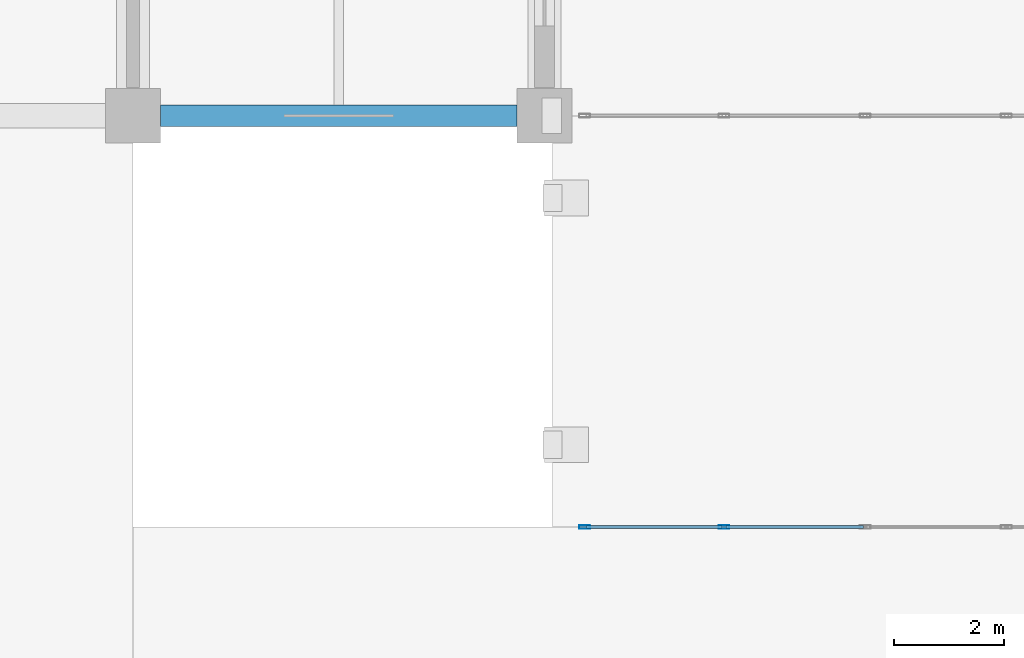
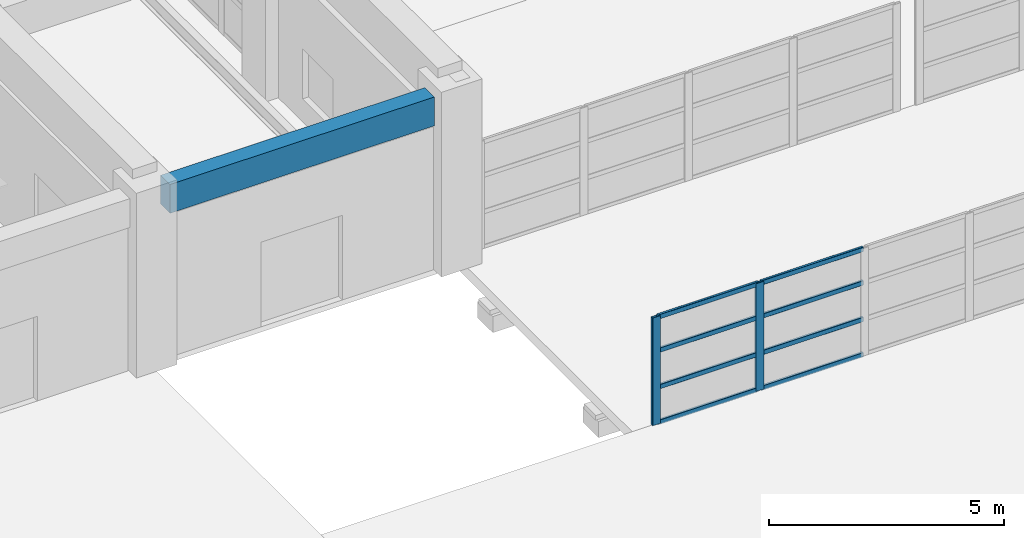
# One storey, part 24 of 122: 10 members, 1 beam, 1 element without a shape of its own.
"""IFC4 building model written with IfcOpenShell, lengths in metres."""

import ifcopenshell
import ifcopenshell.guid

model = None  # the IFC model being written
_history = None  # IfcOwnerHistory: only IFC2X3 demands one
_inside = {}  # id of a spatial element -> (the spatial element, [elements in it])
_under = {}  # id of a project, library or spatial element -> (it, [spatial elements below it])
_declared = {}  # id of a project -> (the project, [libraries it declares])
_typed = {}  # id of a type object -> (the type object, [elements of that type])
_made_of = {}  # id of a material, layer set ... -> (it, [elements and type objects made of it])


def new_model(schema):
    """Start an empty IFC model of exactly this schema.

    Asked for "IFC4X3", IfcOpenShell would pick the latest addendum, in which some entities
    have other attributes; the version numbers below select the first issue.
    IFC2X3 requires an IfcOwnerHistory on every rooted entity: one is made here for all.
    """
    global model, _history
    if schema == "IFC4X3":
        model = ifcopenshell.file(schema_version=(4, 3, 0, 0))
    else:
        model = ifcopenshell.file(schema=schema)
    _inside.clear()
    _under.clear()
    _declared.clear()
    _typed.clear()
    _made_of.clear()
    _history = None
    if model.schema == "IFC2X3":
        org = make("IfcOrganization", Name="unknown")
        user = make(
            "IfcPersonAndOrganization",
            ThePerson=make("IfcPerson", FamilyName="unknown"),
            TheOrganization=org,
        )
        app = make(
            "IfcApplication",
            ApplicationDeveloper=org,
            Version="unknown",
            ApplicationFullName="unknown",
            ApplicationIdentifier="unknown",
        )
        _history = make(
            "IfcOwnerHistory",
            OwningUser=user,
            OwningApplication=app,
            ChangeAction="ADDED",
            CreationDate=0,
        )
    return model


def make(cls, **values):
    """One entity of the class cls with the attributes given. An attribute that is None is left unset."""
    return model.create_entity(
        cls, **{name: value for name, value in values.items() if value is not None}
    )


def rooted(cls, **values):
    """An entity with a GlobalId (a new one), such as an element, a storey or a relation."""
    return make(cls, GlobalId=ifcopenshell.guid.new(), OwnerHistory=_history, **values)


def si_unit(unit_type, name, prefix=None):
    """IfcSIUnit, for example si_unit("LENGTHUNIT", "METRE", prefix="MILLI")."""
    return make("IfcSIUnit", UnitType=unit_type, Prefix=prefix, Name=name)


def assignment(units):
    """IfcUnitAssignment: the units of a project."""
    return None if units is None else make("IfcUnitAssignment", Units=units)


def point(xyz):
    """IfcCartesianPoint."""
    return None if xyz is None else make("IfcCartesianPoint", Coordinates=xyz)


def direction(xyz):
    """IfcDirection."""
    return None if xyz is None else make("IfcDirection", DirectionRatios=xyz)


def frame(location, z_axis=None, x_axis=None):
    """IfcAxis2Placement3D, a coordinate frame: its origin and axes. An axis left out is left unset."""
    return make(
        "IfcAxis2Placement3D",
        Location=point(location),
        Axis=direction(z_axis),
        RefDirection=direction(x_axis),
    )


def frame_2d(location, x_axis=None):
    """IfcAxis2Placement2D, a coordinate frame in the plane: its origin and x axis."""
    return make(
        "IfcAxis2Placement2D", Location=point(location), RefDirection=direction(x_axis)
    )


def origin():
    """The frame at (0, 0, 0) with its axes left unset."""
    return frame((0.0, 0.0, 0.0))


def origin_2d():
    """The frame at (0, 0) in the plane with its x axis left unset."""
    return frame_2d((0.0, 0.0))


def place(relative_to, where):
    """IfcLocalPlacement: puts the frame where relative to a parent placement (None: the world)."""
    return make(
        "IfcLocalPlacement", PlacementRelTo=relative_to, RelativePlacement=where
    )


def context(
    kind, dimensions, precision=None, world=None, true_north=None, identifier=None
):
    """IfcGeometricRepresentationContext, for example the 3D "Model" context."""
    return make(
        "IfcGeometricRepresentationContext",
        ContextIdentifier=identifier,
        ContextType=kind,
        CoordinateSpaceDimension=dimensions,
        Precision=precision,
        WorldCoordinateSystem=world,
        TrueNorth=true_north,
    )


def subcontext(parent, identifier, kind, view, scale=None):
    """IfcGeometricRepresentationSubContext, for example "Body" below "Model"."""
    return make(
        "IfcGeometricRepresentationSubContext",
        ContextIdentifier=identifier,
        ContextType=kind,
        ParentContext=parent,
        TargetScale=scale,
        TargetView=view,
    )


def project(units=None, contexts=None):
    """IfcProject with its units and contexts."""
    return rooted(
        "IfcProject",
        Name="project",
        RepresentationContexts=contexts,
        UnitsInContext=assignment(units),
    )


def spatial(cls, under=None, at=None, **own):
    """A site, building, storey or space (cls), placed at a placement, below another one or the project."""
    s = rooted(cls, ObjectPlacement=at, **own)
    if under is not None:
        _under.setdefault(under.id(), (under, []))[1].append(s)
    return s


def profile(cls, at=None, kind="AREA", **sizes):
    """A parametric profile (cls). Its sizes go by their IFC names, for example OverallWidth=200.0."""
    return make(cls, ProfileType=kind, Position=at, **sizes)


def rectangle(**sizes):
    """IfcRectangleProfileDef."""
    return profile("IfcRectangleProfileDef", **sizes)


def hollow_rectangle(**sizes):
    """IfcRectangleHollowProfileDef."""
    return profile("IfcRectangleHollowProfileDef", **sizes)


def extrude(swept, where, along, depth):
    """IfcExtrudedAreaSolid: the profile swept, set in the frame where, extruded along a direction by depth."""
    return make(
        "IfcExtrudedAreaSolid",
        SweptArea=swept,
        Position=where,
        ExtrudedDirection=direction(along),
        Depth=depth,
    )


def shape(context_of_items, identifier, shape_type, items):
    """IfcShapeRepresentation: the items that make up one representation, for example the "Body"."""
    return make(
        "IfcShapeRepresentation",
        ContextOfItems=context_of_items,
        RepresentationIdentifier=identifier,
        RepresentationType=shape_type,
        Items=items,
    )


def material(Name=None, Category=None):
    """IfcMaterial."""
    return make("IfcMaterial", Name=Name, Category=Category)


def material_profile(
    of_material, cross_section, Name=None, Category=None, Priority=None
):
    """IfcMaterialProfile: a cross section and its material."""
    return make(
        "IfcMaterialProfile",
        Name=Name,
        Material=of_material,
        Profile=cross_section,
        Priority=Priority,
        Category=Category,
    )


def profile_set(profiles, Name=None, composite=None):
    """IfcMaterialProfileSet."""
    return make(
        "IfcMaterialProfileSet",
        Name=Name,
        MaterialProfiles=profiles,
        CompositeProfile=composite,
    )


def made_of(thing, what):
    """Note that an element or type object is made of a material, layer set ...; save() writes the relation."""
    if what is not None:
        _made_of.setdefault(what.id(), (what, []))[1].append(thing)
    return thing


def type_object(cls, material=None, **own):
    """A type object (cls), such as IfcWallType, which elements share."""
    return made_of(rooted(cls, **own), material)


def element(
    cls,
    number,
    at=None,
    inside=None,
    cuts=None,
    type_object=None,
    material=None,
    context=None,
    identifier="Body",
    shape_type=None,
    held_by="IfcProductDefinitionShape",
    body=None,
    shapes=None,
    **own,
):
    """One element of the class cls, such as IfcWall. Its Tag is "e" and its number.

    at: its placement. inside: the storey or other place that contains it. cuts: it is an
    opening in that element (IfcRelVoidsElement). A single representation is given by context,
    identifier, shape_type and body (its items); several are given by shapes. held_by: the class
    of the entity that holds the representations. save() writes the other relations.
    """
    e = rooted(cls, Tag="e%d" % number, ObjectPlacement=at, **own)
    if body is not None:
        shapes = [shape(context, identifier, shape_type, body)]
    if shapes is not None:
        e.Representation = make(held_by, Representations=shapes)
    if inside is not None:
        _inside.setdefault(inside.id(), (inside, []))[1].append(e)
    if cuts is not None:
        rooted(
            "IfcRelVoidsElement", RelatingBuildingElement=cuts, RelatedOpeningElement=e
        )
    if type_object is not None:
        _typed.setdefault(type_object.id(), (type_object, []))[1].append(e)
    return made_of(e, material)


def aggregate(whole, parts):
    """IfcRelAggregates: a whole, such as a stair, and the parts it consists of."""
    return rooted("IfcRelAggregates", RelatingObject=whole, RelatedObjects=parts)


def save(model, path):
    """Write the relations noted so far, then the file.

    IfcRelAggregates (storeys below a building ...), IfcRelContainedInSpatialStructure (elements
    in a storey), IfcRelDefinesByType, IfcRelAssociatesMaterial and IfcRelDeclares: one each for
    every whole, place, type object, material and project.
    """
    for whole, parts in _under.values():
        aggregate(whole, parts)
    for where, things in _inside.values():
        rooted(
            "IfcRelContainedInSpatialStructure",
            RelatedElements=things,
            RelatingStructure=where,
        )
    for kind, things in _typed.values():
        rooted("IfcRelDefinesByType", RelatedObjects=things, RelatingType=kind)
    for what, things in _made_of.values():
        rooted("IfcRelAssociatesMaterial", RelatedObjects=things, RelatingMaterial=what)
    for by, libraries in _declared.values():
        rooted("IfcRelDeclares", RelatingContext=by, RelatedDefinitions=libraries)
    model.write(path)


model = new_model("IFC4")

# Units and contexts
model_context = context("Model", 3, precision=1e-05, world=origin(), true_north=direction((0.0, 1.0)))
body_context = subcontext(model_context, "Body", "Model", "MODEL_VIEW")
ifc_project = project(units=[si_unit("LENGTHUNIT", "METRE"), si_unit("AREAUNIT", "SQUARE_METRE"), si_unit("VOLUMEUNIT", "CUBIC_METRE"), si_unit("PLANEANGLEUNIT", "RADIAN"), si_unit("MASSUNIT", "GRAM", prefix="KILO")], contexts=[model_context])

# Site, building, storey
site_placement = place(None, origin())
site = spatial("IfcSite", under=ifc_project, at=site_placement, CompositionType="ELEMENT")
building_placement = place(site_placement, origin())
building = spatial("IfcBuilding", under=site, at=building_placement, Name="Qasida Concert Hall", CompositionType="ELEMENT")
storey_placement = place(building_placement, origin())
storey = spatial("IfcBuildingStorey", under=building, at=storey_placement, Name="L00", CompositionType="ELEMENT", Elevation=0.0)

# Beam
ifc_material_1 = material(Name="Concrete C40/50", Category="concrete")
ifc_material_profile_1 = material_profile(ifc_material_1, rectangle(XDim=0.39990234375, YDim=0.75, at=origin_2d()), Name="RC 400x750")
ifc_profile_set_1 = profile_set([ifc_material_profile_1], Name="Concrete C40/50")
beam_type = type_object("IfcBeamType", Name="BM-SP1", PredefinedType="SPANDREL", material=ifc_profile_set_1)
beam_placement = place(storey_placement, frame((98.0, 22.5, 4.125), z_axis=(1.0, 0.0, 0.0), x_axis=(0.0, 1.0, 0.0)))
element("IfcBeam", 1, at=beam_placement, inside=storey, type_object=beam_type, Name="Primary girder 0357", PredefinedType="SPANDREL", context=body_context, shape_type="SweptSolid", body=[
    extrude(rectangle(XDim=0.39990234375, YDim=0.75, at=origin_2d()), origin(), (0.0, 0.0, 1.0), 6.5),
])

# Curtain wall, members
ifc_material_2 = material(Name="Architectural bronze-anodized aluminium and low-E glass", Category="aluminium")
curtain_wall_type = type_object("IfcCurtainWallType", Name="CW-07", PredefinedType="NOTDEFINED", material=ifc_material_2)
curtain_wall_placement = place(storey_placement, origin())
curtain_wall = element("IfcCurtainWall", 2, at=curtain_wall_placement, inside=storey, type_object=curtain_wall_type, Name="L00 link bridge glazing 0230", PredefinedType="NOTDEFINED")
ifc_material_3 = material(Name="Architectural bronze-anodized aluminium EN AW-6063", Category="aluminium")
ifc_material_profile_2 = material_profile(ifc_material_3, hollow_rectangle(XDim=0.06494140625, YDim=0.199951171875, WallThickness=0.0048828125, InnerFilletRadius=0.0048828125, OuterFilletRadius=0.010009765625, at=origin_2d()), Name="CWM 200x65x5")
ifc_profile_set_2 = profile_set([ifc_material_profile_2], Name="Architectural bronze-anodized aluminium EN AW-6063")
member_type_1 = type_object("IfcMemberType", Name="MB-CWM-2", PredefinedType="MULLION", material=ifc_profile_set_2)
member_1_placement = place(storey_placement, frame((105.732421875, 15.0, 0.0), z_axis=(0.0, 0.0, 1.0), x_axis=(0.0, 1.0, 0.0)))
member_1 = element("IfcMember", 3, at=member_1_placement, type_object=member_type_1, Name="CW-07 mullion 1", PredefinedType="MULLION", context=body_context, shape_type="SweptSolid", body=[
    extrude(hollow_rectangle(XDim=0.06494140625, YDim=0.199951171875, WallThickness=0.0048828125, InnerFilletRadius=0.0048828125, OuterFilletRadius=0.010009765625, at=origin_2d()), origin(), (0.0, 0.0, 1.0), 2.800048828125),
])
member_2_placement = place(storey_placement, frame((108.27490234375, 15.0, 0.0), z_axis=(0.0, 0.0, 1.0), x_axis=(0.0, 1.0, 0.0)))
member_2 = element("IfcMember", 4, at=member_2_placement, type_object=member_type_1, Name="CW-07 mullion 2", PredefinedType="MULLION", context=body_context, shape_type="SweptSolid", body=[
    extrude(hollow_rectangle(XDim=0.06494140625, YDim=0.199951171875, WallThickness=0.0048828125, InnerFilletRadius=0.0048828125, OuterFilletRadius=0.010009765625, at=origin_2d()), origin(), (0.0, 0.0, 1.0), 2.800048828125),
])
ifc_material_profile_3 = material_profile(ifc_material_3, hollow_rectangle(XDim=0.06005859375, YDim=0.1201171875, WallThickness=0.00390625, InnerFilletRadius=0.00390625, OuterFilletRadius=0.008056640625, at=origin_2d()), Name="CWT 120x60x4")
ifc_profile_set_3 = profile_set([ifc_material_profile_3], Name="Architectural bronze-anodized aluminium EN AW-6063")
member_type_2 = type_object("IfcMemberType", Name="MB-CWT-2", PredefinedType="USERDEFINED", material=ifc_profile_set_3)
member_3_placement = place(storey_placement, frame((105.764892578125, 15.0, 0.030029296875), z_axis=(1.0, 0.0, 0.0), x_axis=(0.0, 1.0, 0.0)))
member_3 = element("IfcMember", 5, at=member_3_placement, type_object=member_type_2, Name="CW-07 transom 1.1", ObjectType="TRANSOM", PredefinedType="USERDEFINED", context=body_context, shape_type="SweptSolid", body=[
    extrude(hollow_rectangle(XDim=0.06005859375, YDim=0.1201171875, WallThickness=0.00390625, InnerFilletRadius=0.00390625, OuterFilletRadius=0.008056640625, at=origin_2d()), origin(), (0.0, 0.0, 1.0), 2.4775390625),
])
member_4_placement = place(storey_placement, frame((105.764892578125, 15.0, 0.949951171875), z_axis=(1.0, 0.0, 0.0), x_axis=(0.0, 1.0, 0.0)))
member_4 = element("IfcMember", 6, at=member_4_placement, type_object=member_type_2, Name="CW-07 transom 1.2", ObjectType="TRANSOM", PredefinedType="USERDEFINED", context=body_context, shape_type="SweptSolid", body=[
    extrude(hollow_rectangle(XDim=0.06005859375, YDim=0.1201171875, WallThickness=0.00390625, InnerFilletRadius=0.00390625, OuterFilletRadius=0.008056640625, at=origin_2d()), origin(), (0.0, 0.0, 1.0), 2.4775390625),
])
member_5_placement = place(storey_placement, frame((105.764892578125, 15.0, 1.89990234375), z_axis=(1.0, 0.0, 0.0), x_axis=(0.0, 1.0, 0.0)))
member_5 = element("IfcMember", 7, at=member_5_placement, type_object=member_type_2, Name="CW-07 transom 1.3", ObjectType="TRANSOM", PredefinedType="USERDEFINED", context=body_context, shape_type="SweptSolid", body=[
    extrude(hollow_rectangle(XDim=0.06005859375, YDim=0.1201171875, WallThickness=0.00390625, InnerFilletRadius=0.00390625, OuterFilletRadius=0.008056640625, at=origin_2d()), origin(), (0.0, 0.0, 1.0), 2.4775390625),
])
member_6_placement = place(storey_placement, frame((105.764892578125, 15.0, 2.77001953125), z_axis=(1.0, 0.0, 0.0), x_axis=(0.0, 1.0, 0.0)))
member_6 = element("IfcMember", 8, at=member_6_placement, type_object=member_type_2, Name="CW-07 transom 1.4", ObjectType="TRANSOM", PredefinedType="USERDEFINED", context=body_context, shape_type="SweptSolid", body=[
    extrude(hollow_rectangle(XDim=0.06005859375, YDim=0.1201171875, WallThickness=0.00390625, InnerFilletRadius=0.00390625, OuterFilletRadius=0.008056640625, at=origin_2d()), origin(), (0.0, 0.0, 1.0), 2.4775390625),
])
member_7_placement = place(storey_placement, frame((108.3076171875, 15.0, 0.030029296875), z_axis=(1.0, 0.0, 0.0), x_axis=(0.0, 1.0, 0.0)))
member_7 = element("IfcMember", 9, at=member_7_placement, type_object=member_type_2, Name="CW-07 transom 2.1", ObjectType="TRANSOM", PredefinedType="USERDEFINED", context=body_context, shape_type="SweptSolid", body=[
    extrude(hollow_rectangle(XDim=0.06005859375, YDim=0.1201171875, WallThickness=0.00390625, InnerFilletRadius=0.00390625, OuterFilletRadius=0.008056640625, at=origin_2d()), origin(), (0.0, 0.0, 1.0), 2.509765625),
])
member_8_placement = place(storey_placement, frame((108.3076171875, 15.0, 0.949951171875), z_axis=(1.0, 0.0, 0.0), x_axis=(0.0, 1.0, 0.0)))
member_8 = element("IfcMember", 10, at=member_8_placement, type_object=member_type_2, Name="CW-07 transom 2.2", ObjectType="TRANSOM", PredefinedType="USERDEFINED", context=body_context, shape_type="SweptSolid", body=[
    extrude(hollow_rectangle(XDim=0.06005859375, YDim=0.1201171875, WallThickness=0.00390625, InnerFilletRadius=0.00390625, OuterFilletRadius=0.008056640625, at=origin_2d()), origin(), (0.0, 0.0, 1.0), 2.509765625),
])
member_9_placement = place(storey_placement, frame((108.3076171875, 15.0, 1.89990234375), z_axis=(1.0, 0.0, 0.0), x_axis=(0.0, 1.0, 0.0)))
member_9 = element("IfcMember", 11, at=member_9_placement, type_object=member_type_2, Name="CW-07 transom 2.3", ObjectType="TRANSOM", PredefinedType="USERDEFINED", context=body_context, shape_type="SweptSolid", body=[
    extrude(hollow_rectangle(XDim=0.06005859375, YDim=0.1201171875, WallThickness=0.00390625, InnerFilletRadius=0.00390625, OuterFilletRadius=0.008056640625, at=origin_2d()), origin(), (0.0, 0.0, 1.0), 2.509765625),
])
member_10_placement = place(storey_placement, frame((108.3076171875, 15.0, 2.77001953125), z_axis=(1.0, 0.0, 0.0), x_axis=(0.0, 1.0, 0.0)))
member_10 = element("IfcMember", 12, at=member_10_placement, type_object=member_type_2, Name="CW-07 transom 2.4", ObjectType="TRANSOM", PredefinedType="USERDEFINED", context=body_context, shape_type="SweptSolid", body=[
    extrude(hollow_rectangle(XDim=0.06005859375, YDim=0.1201171875, WallThickness=0.00390625, InnerFilletRadius=0.00390625, OuterFilletRadius=0.008056640625, at=origin_2d()), origin(), (0.0, 0.0, 1.0), 2.509765625),
])
aggregate(curtain_wall, [member_1, member_2, member_3, member_4, member_5, member_6, member_7, member_8, member_9, member_10])

save(model, "model.ifc")
